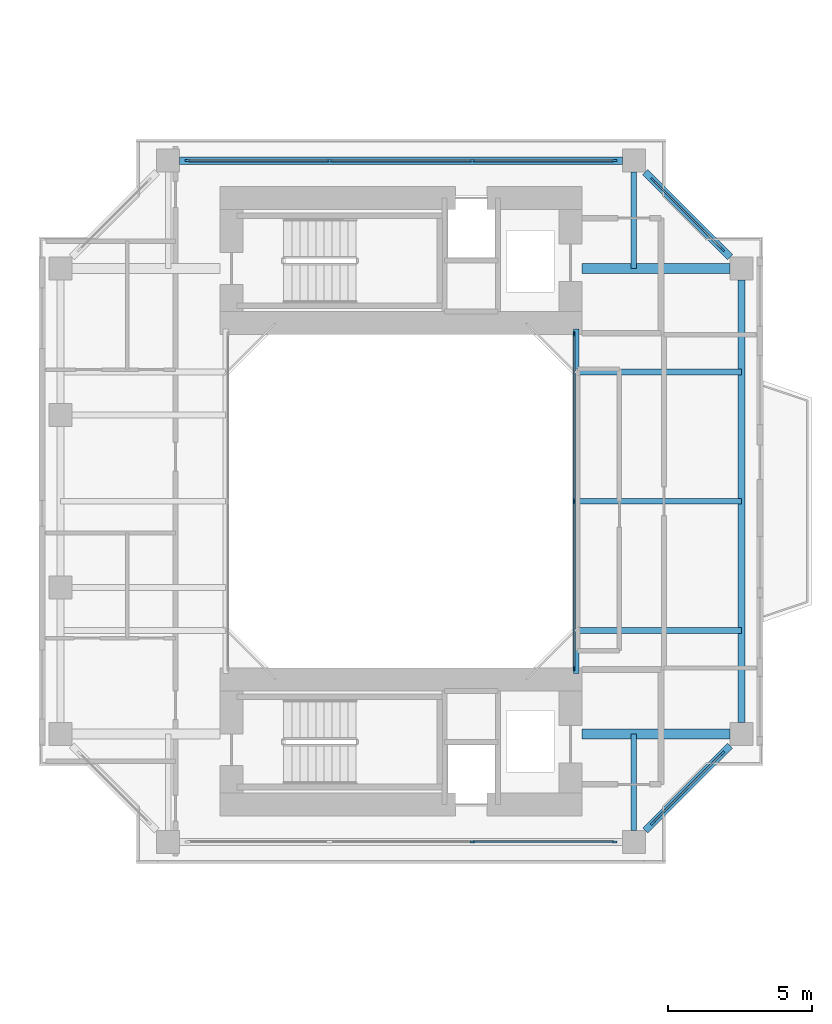
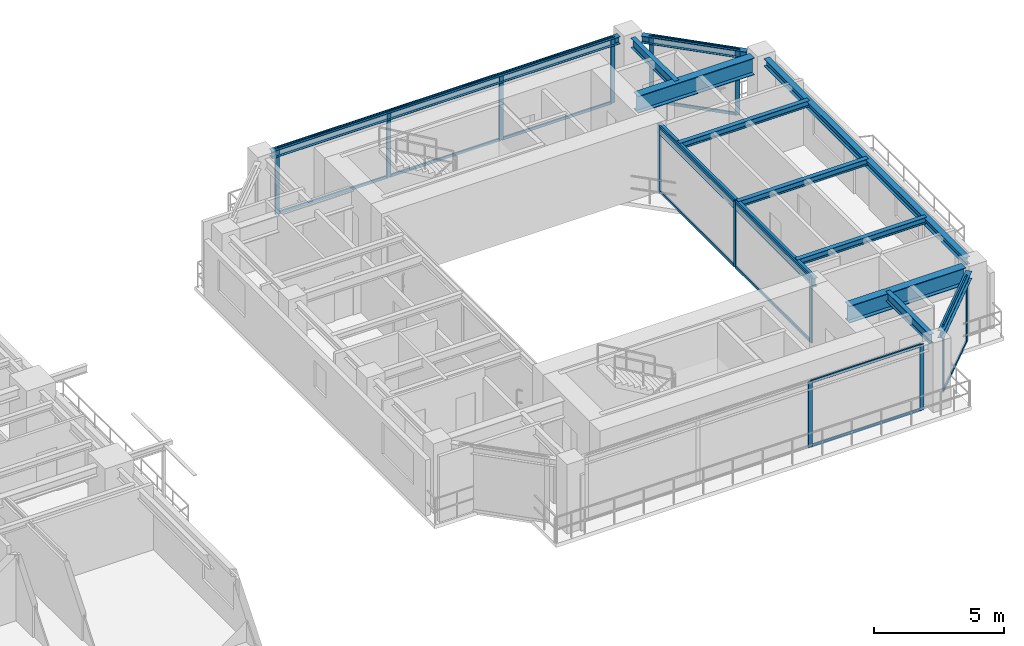
# One storey, part 10 of 23: 29 members, 12 beams, 5 elements without a shape of their own.
"""IFC4 building model written with IfcOpenShell, lengths in metres."""

from ifc_helpers import new_model, si_unit, direction, frame, origin, origin_2d, place, context, subcontext, project, spatial, rectangle, i_section, extrude, source, transform, mapped, material, layer, layer_set, material_profile, profile_set, type_object, element, aggregate, save


model = new_model("IFC4")

# Units and contexts
model_context = context("Model", 3, precision=1e-05, world=origin(), true_north=direction((0.0, 1.0)))
body_context = subcontext(model_context, "Body", "Model", "MODEL_VIEW")
ifc_project = project(units=[si_unit("LENGTHUNIT", "METRE"), si_unit("AREAUNIT", "SQUARE_METRE"), si_unit("VOLUMEUNIT", "CUBIC_METRE"), si_unit("PLANEANGLEUNIT", "RADIAN"), si_unit("MASSUNIT", "GRAM", prefix="KILO"), si_unit("THERMODYNAMICTEMPERATUREUNIT", "KELVIN"), si_unit("POWERUNIT", "WATT")], contexts=[model_context])

# Site, building, storey
site_placement = place(None, origin())
site = spatial("IfcSite", under=ifc_project, at=site_placement, CompositionType="ELEMENT")
building_placement = place(site_placement, origin())
building = spatial("IfcBuilding", under=site, at=building_placement, Name="Qiaomeng Ring Towers", CompositionType="ELEMENT")
storey_placement = place(building_placement, frame((0.0, 0.0, 82.75)))
storey = spatial("IfcBuildingStorey", under=building, at=storey_placement, Name="L23", CompositionType="ELEMENT", Elevation=82.75)

# Beams
ifc_material_1 = material(Name="Steel Q355B", Category="steel")
ifc_material_profile_1 = material_profile(ifc_material_1, i_section(OverallWidth=0.199951171875, OverallDepth=0.39990234375, WebThickness=0.008056640625, FlangeThickness=0.012939453125, FilletRadius=0.01611328125, at=origin_2d()), Name="HN 400x200x8x13")
ifc_profile_set_1 = profile_set([ifc_material_profile_1], Name="Steel Q355B")
beam_type_1 = type_object("IfcBeamType", Name="STR-BM-HN400", PredefinedType="SPANDREL", material=ifc_profile_set_1)
shared_shape_1 = source(origin(), body_context, "Body", "SweptSolid", [
    extrude(i_section(OverallWidth=0.199951171875, OverallDepth=0.39990234375, WebThickness=0.008056640625, FlangeThickness=0.012939453125, FilletRadius=0.01611328125, at=origin_2d()), origin(), (0.0, 0.0, 1.0), 12.0),
])
beam_placement = place(storey_placement, frame((66.60009765625, 17.0, 2.8701171875), z_axis=(0.0, 1.0, 0.0), x_axis=(-1.0, 0.0, 0.0)))
element("IfcBeam", 1, at=beam_placement, inside=storey, type_object=beam_type_1, Name="L23 beam STR-BM-L23-T2-WELL-E", PredefinedType="SPANDREL", context=body_context, shape_type="MappedRepresentation", body=[
    mapped(shared_shape_1, transform((0.0, 0.0, 0.0), x_axis=(1.0, 0.0, 0.0), y_axis=(0.0, 1.0, 0.0), z_axis=(0.0, 0.0, 1.0), scale=1.0)),
])
ifc_material_profile_2 = material_profile(ifc_material_1, i_section(OverallWidth=0.25, OverallDepth=0.340087890625, WebThickness=0.009033203125, FlangeThickness=0.013916015625, FilletRadius=0.02001953125, at=origin_2d()), Name="HM 340x250x9x14")
ifc_profile_set_2 = profile_set([ifc_material_profile_2], Name="Steel Q355B")
beam_type_2 = type_object("IfcBeamType", Name="STR-BM-HM340", PredefinedType="SPANDREL", material=ifc_profile_set_2)
shared_shape_2 = source(origin(), body_context, "Body", "SweptSolid", [
    extrude(i_section(OverallWidth=0.25, OverallDepth=0.340087890625, WebThickness=0.009033203125, FlangeThickness=0.013916015625, FilletRadius=0.02001953125, at=origin_2d()), origin(), (0.0, 0.0, 1.0), 15.40185546875),
])
for number, where, z_axis, x_axis, name in (
    (2, (72.35009765625, 15.299072265625, 2.89990234375), (0.0, 1.0, 0.0), (-1.0, 0.0, 0.0), "L23 beam STR-SP-L23-T2-E1-E2"),
    (3, (68.200927734375, 34.85009765625, 2.89990234375), (-1.0, 0.0, 0.0), (0.0, -1.0, 0.0), "L23 beam STR-SP-L23-T2-N2-N1"),
):
    element("IfcBeam", number, at=place(storey_placement, frame(where, z_axis=z_axis, x_axis=x_axis)), inside=storey, type_object=beam_type_2, Name=name, PredefinedType="SPANDREL", context=body_context, shape_type="MappedRepresentation", body=[
        mapped(shared_shape_2, transform((0.0, 0.0, 0.0), x_axis=(1.0, 0.0, 0.0), y_axis=(0.0, 1.0, 0.0), z_axis=(0.0, 0.0, 1.0), scale=1.0)),
    ])
shared_shape_3 = source(origin(), body_context, "Body", "SweptSolid", [
    extrude(i_section(OverallWidth=0.25, OverallDepth=0.340087890625, WebThickness=0.009033203125, FlangeThickness=0.013916015625, FilletRadius=0.02001953125, at=origin_2d()), origin(), (0.0, 0.0, 1.0), 4.173828125),
])
for number, where, z_axis, x_axis, name in (
    (4, (68.999267578125, 11.54931640625, 2.89990234375), (0.707106781187, 0.707106781187, 0.0), (-0.707106781187, 0.707106781187, 0.0), "L23 beam STR-SP-L23-T2-S2-E1"),
    (5, (71.95068359375, 31.499267578125, 2.89990234375), (-0.707106781187, 0.707106781187, 0.0), (-0.707106781187, -0.707106781187, 0.0), "L23 beam STR-SP-L23-T2-E2-N2"),
):
    element("IfcBeam", number, at=place(storey_placement, frame(where, z_axis=z_axis, x_axis=x_axis)), inside=storey, type_object=beam_type_2, Name=name, PredefinedType="SPANDREL", context=body_context, shape_type="MappedRepresentation", body=[
        mapped(shared_shape_3, transform((0.0, 0.0, 0.0), x_axis=(1.0, 0.0, 0.0), y_axis=(0.0, 1.0, 0.0), z_axis=(0.0, 0.0, 1.0), scale=1.0)),
    ])
ifc_material_2 = material(Name="Steel Q390GJC", Category="steel")
ifc_material_profile_3 = material_profile(ifc_material_2, i_section(OverallWidth=0.35009765625, OverallDepth=0.800048828125, WebThickness=0.01611328125, FlangeThickness=0.028076171875, at=origin_2d()), Name="WH 800x350x16x28")
ifc_profile_set_3 = profile_set([ifc_material_profile_3], Name="Steel Q390GJC")
beam_type_3 = type_object("IfcBeamType", Name="STR-BM-WH800", PredefinedType="BEAM", material=ifc_profile_set_3)
shared_shape_4 = source(origin(), body_context, "Body", "SweptSolid", [
    extrude(i_section(OverallWidth=0.35009765625, OverallDepth=0.800048828125, WebThickness=0.01611328125, FlangeThickness=0.028076171875, at=origin_2d()), origin(), (0.0, 0.0, 1.0), 5.15087890625),
])
for number, where, z_axis, x_axis, name in (
    (6, (66.800048828125, 14.89990234375, 2.669921875), (1.0, 0.0, 0.0), (0.0, 1.0, 0.0), "L23 beam STR-BM-L23-T2-RAD-E1"),
    (7, (66.800048828125, 31.10009765625, 2.669921875), (1.0, 0.0, 0.0), (0.0, 1.0, 0.0), "L23 beam STR-BM-L23-T2-RAD-E2"),
):
    element("IfcBeam", number, at=place(storey_placement, frame(where, z_axis=z_axis, x_axis=x_axis)), inside=storey, type_object=beam_type_3, Name=name, PredefinedType="BEAM", context=body_context, shape_type="MappedRepresentation", body=[
        mapped(shared_shape_4, transform((0.0, 0.0, 0.0), x_axis=(1.0, 0.0, 0.0), y_axis=(0.0, 1.0, 0.0), z_axis=(0.0, 0.0, 1.0), scale=1.0)),
    ])
ifc_material_profile_4 = material_profile(ifc_material_1, i_section(OverallWidth=0.199951171875, OverallDepth=0.449951171875, WebThickness=0.009033203125, FlangeThickness=0.013916015625, FilletRadius=0.01806640625, at=origin_2d()), Name="HN 450x200x9x14")
ifc_profile_set_4 = profile_set([ifc_material_profile_4], Name="Steel Q355B")
beam_type_4 = type_object("IfcBeamType", Name="STR-BM-HN450", PredefinedType="SPANDREL", material=ifc_profile_set_4)
shared_shape_5 = source(origin(), body_context, "Body", "SweptSolid", [
    extrude(i_section(OverallWidth=0.199951171875, OverallDepth=0.449951171875, WebThickness=0.009033203125, FlangeThickness=0.013916015625, FilletRadius=0.01806640625, at=origin_2d()), origin(), (0.0, 0.0, 1.0), 3.350830078125),
])
for number, where, z_axis, x_axis, name in (
    (8, (68.60009765625, 34.450927734375, 2.844970703125), (0.0, -1.0, 0.0), (1.0, 0.0, 0.0), "L23 beam STR-BM-L23-T2-RAD-N2"),
    (9, (68.60009765625, 11.549072265625, 2.844970703125), (0.0, 1.0, 0.0), (-1.0, 0.0, 0.0), "L23 beam STR-BM-L23-T2-RAD-S2"),
):
    element("IfcBeam", number, at=place(storey_placement, frame(where, z_axis=z_axis, x_axis=x_axis)), inside=storey, type_object=beam_type_4, Name=name, PredefinedType="SPANDREL", context=body_context, shape_type="MappedRepresentation", body=[
        mapped(shared_shape_5, transform((0.0, 0.0, 0.0), x_axis=(1.0, 0.0, 0.0), y_axis=(0.0, 1.0, 0.0), z_axis=(0.0, 0.0, 1.0), scale=1.0)),
    ])
ifc_material_profile_5 = material_profile(ifc_material_1, i_section(OverallWidth=0.199951171875, OverallDepth=0.2939453125, WebThickness=0.008056640625, FlangeThickness=0.011962890625, FilletRadius=0.01806640625, at=origin_2d()), Name="HM 294x200x8x12")
ifc_profile_set_5 = profile_set([ifc_material_profile_5], Name="Steel Q355B")
beam_type_5 = type_object("IfcBeamType", Name="STR-BM-HM294", PredefinedType="JOIST", material=ifc_profile_set_5)
shared_shape_6 = source(origin(), body_context, "Body", "SweptSolid", [
    extrude(i_section(OverallWidth=0.199951171875, OverallDepth=0.2939453125, WebThickness=0.008056640625, FlangeThickness=0.011962890625, FilletRadius=0.01806640625, at=origin_2d()), origin(), (0.0, 0.0, 1.0), 5.75),
])
for number, where, z_axis, x_axis, name in (
    (10, (66.60009765625, 18.5, 2.923095703125), (1.0, 0.0, 0.0), (0.0, 1.0, 0.0), "L23 beam STR-JST-L23-T2E-1"),
    (11, (66.60009765625, 23.0, 2.923095703125), (1.0, 0.0, 0.0), (0.0, 1.0, 0.0), "L23 beam STR-JST-L23-T2E-2"),
    (12, (66.60009765625, 27.5, 2.923095703125), (1.0, 0.0, 0.0), (0.0, 1.0, 0.0), "L23 beam STR-JST-L23-T2E-3"),
):
    element("IfcBeam", number, at=place(storey_placement, frame(where, z_axis=z_axis, x_axis=x_axis)), inside=storey, type_object=beam_type_5, Name=name, PredefinedType="JOIST", context=body_context, shape_type="MappedRepresentation", body=[
        mapped(shared_shape_6, transform((0.0, 0.0, 0.0), x_axis=(1.0, 0.0, 0.0), y_axis=(0.0, 1.0, 0.0), z_axis=(0.0, 0.0, 1.0), scale=1.0)),
    ])

# Curtain wall, members
ifc_material_3 = material(Name="Fluorocarbon dark-grey aluminium", Category="aluminium")
ifc_layer_1 = layer(ifc_material_3, 0.139892578125, Name="Fluorocarbon dark-grey aluminium")
ifc_layer_set_1 = layer_set([ifc_layer_1], Name="Fluorocarbon dark-grey aluminium")
curtain_wall_type_1 = type_object("IfcCurtainWallType", Name="ARC-CW-4", PredefinedType="NOTDEFINED", material=ifc_layer_set_1)
curtain_wall_1_placement = place(storey_placement, origin())
curtain_wall_1 = element("IfcCurtainWall", 13, at=curtain_wall_1_placement, inside=storey, type_object=curtain_wall_type_1, Name="L23 Curtain Wall CW4", PredefinedType="NOTDEFINED")
ifc_material_profile_6 = material_profile(ifc_material_3, rectangle(XDim=0.06494140625, YDim=0.159912109375, at=origin_2d()), Name="ALU MULL 65x160")
ifc_profile_set_6 = profile_set([ifc_material_profile_6], Name="Fluorocarbon dark-grey aluminium")
member_type_1 = type_object("IfcMemberType", Name="ARC-CWM-140", PredefinedType="MULLION", material=ifc_profile_set_6)
shared_shape_7 = source(origin(), body_context, "Body", "SweptSolid", [
    extrude(rectangle(XDim=0.06494140625, YDim=0.159912109375, at=origin_2d()), origin(), (0.0, 0.0, 1.0), 3.070068359375),
])
member_1_placement = place(storey_placement, frame((66.52001953125, 17.1826171875, 0.0), z_axis=(0.0, 0.0, 1.0), x_axis=(-1.0, 0.0, 0.0)))
member_1 = element("IfcMember", 14, at=member_1_placement, type_object=member_type_1, Name="CW4 mullion 1", PredefinedType="MULLION", context=body_context, shape_type="MappedRepresentation", body=[
    mapped(shared_shape_7, transform((0.0, 0.0, 0.0), x_axis=(1.0, 0.0, 0.0), y_axis=(0.0, 1.0, 0.0), z_axis=(0.0, 0.0, 1.0), scale=1.0)),
])
member_2_placement = place(storey_placement, frame((66.52001953125, 23.0, 0.0), z_axis=(0.0, 0.0, 1.0), x_axis=(-1.0, 0.0, 0.0)))
member_2 = element("IfcMember", 15, at=member_2_placement, type_object=member_type_1, Name="CW4 mullion 2", PredefinedType="MULLION", context=body_context, shape_type="MappedRepresentation", body=[
    mapped(shared_shape_7, transform((0.0, 0.0, 0.0), x_axis=(1.0, 0.0, 0.0), y_axis=(0.0, 1.0, 0.0), z_axis=(0.0, 0.0, 1.0), scale=1.0)),
])
member_3_placement = place(storey_placement, frame((66.52001953125, 28.8173828125, 0.0), z_axis=(0.0, 0.0, 1.0), x_axis=(-1.0, 0.0, 0.0)))
member_3 = element("IfcMember", 16, at=member_3_placement, type_object=member_type_1, Name="CW4 mullion 3", PredefinedType="MULLION", context=body_context, shape_type="MappedRepresentation", body=[
    mapped(shared_shape_7, transform((0.0, 0.0, 0.0), x_axis=(1.0, 0.0, 0.0), y_axis=(0.0, 1.0, 0.0), z_axis=(0.0, 0.0, 1.0), scale=1.0)),
])
ifc_material_profile_7 = material_profile(ifc_material_3, rectangle(XDim=0.06494140625, YDim=0.1298828125, at=origin_2d()), Name="ALU TRAN 65x130")
ifc_profile_set_7 = profile_set([ifc_material_profile_7], Name="Fluorocarbon dark-grey aluminium")
member_type_2 = type_object("IfcMemberType", Name="ARC-CWT-120", PredefinedType="USERDEFINED", material=ifc_profile_set_7)
shared_shape_8 = source(origin(), body_context, "Body", "SweptSolid", [
    extrude(rectangle(XDim=0.06494140625, YDim=0.1298828125, at=origin_2d()), origin(), (0.0, 0.0, 1.0), 5.75244140625),
])
member_4_placement = place(storey_placement, frame((66.52001953125, 17.215087890625, 0.032470703125), z_axis=(0.0, 1.0, 0.0), x_axis=(-1.0, 0.0, 0.0)))
member_4 = element("IfcMember", 17, at=member_4_placement, type_object=member_type_2, Name="CW4 transom 1.1", ObjectType="TRANSOM", PredefinedType="USERDEFINED", context=body_context, shape_type="MappedRepresentation", body=[
    mapped(shared_shape_8, transform((0.0, 0.0, 0.0), x_axis=(1.0, 0.0, 0.0), y_axis=(0.0, 1.0, 0.0), z_axis=(0.0, 0.0, 1.0), scale=1.0)),
])
member_5_placement = place(storey_placement, frame((66.52001953125, 17.215087890625, 3.03759765625), z_axis=(0.0, 1.0, 0.0), x_axis=(-1.0, 0.0, 0.0)))
member_5 = element("IfcMember", 18, at=member_5_placement, type_object=member_type_2, Name="CW4 transom 1.2", ObjectType="TRANSOM", PredefinedType="USERDEFINED", context=body_context, shape_type="MappedRepresentation", body=[
    mapped(shared_shape_8, transform((0.0, 0.0, 0.0), x_axis=(1.0, 0.0, 0.0), y_axis=(0.0, 1.0, 0.0), z_axis=(0.0, 0.0, 1.0), scale=1.0)),
])
member_6_placement = place(storey_placement, frame((66.52001953125, 23.032470703125, 0.032470703125), z_axis=(0.0, 1.0, 0.0), x_axis=(-1.0, 0.0, 0.0)))
member_6 = element("IfcMember", 19, at=member_6_placement, type_object=member_type_2, Name="CW4 transom 2.1", ObjectType="TRANSOM", PredefinedType="USERDEFINED", context=body_context, shape_type="MappedRepresentation", body=[
    mapped(shared_shape_8, transform((0.0, 0.0, 0.0), x_axis=(1.0, 0.0, 0.0), y_axis=(0.0, 1.0, 0.0), z_axis=(0.0, 0.0, 1.0), scale=1.0)),
])
member_7_placement = place(storey_placement, frame((66.52001953125, 23.032470703125, 3.03759765625), z_axis=(0.0, 1.0, 0.0), x_axis=(-1.0, 0.0, 0.0)))
member_7 = element("IfcMember", 20, at=member_7_placement, type_object=member_type_2, Name="CW4 transom 2.2", ObjectType="TRANSOM", PredefinedType="USERDEFINED", context=body_context, shape_type="MappedRepresentation", body=[
    mapped(shared_shape_8, transform((0.0, 0.0, 0.0), x_axis=(1.0, 0.0, 0.0), y_axis=(0.0, 1.0, 0.0), z_axis=(0.0, 0.0, 1.0), scale=1.0)),
])
aggregate(curtain_wall_1, [member_1, member_2, member_3, member_4, member_5, member_6, member_7])

ifc_layer_2 = layer(ifc_material_3, 0.14990234375, Name="Fluorocarbon dark-grey aluminium")
ifc_layer_set_2 = layer_set([ifc_layer_2], Name="Fluorocarbon dark-grey aluminium")
curtain_wall_type_2 = type_object("IfcCurtainWallType", Name="ARC-CW-5", PredefinedType="NOTDEFINED", material=ifc_layer_set_2)
curtain_wall_2_placement = place(storey_placement, origin())
curtain_wall_2 = element("IfcCurtainWall", 21, at=curtain_wall_2_placement, inside=storey, type_object=curtain_wall_type_2, Name="L23 Curtain Wall CW5", PredefinedType="NOTDEFINED")
ifc_material_profile_8 = material_profile(ifc_material_3, rectangle(XDim=0.070068359375, YDim=0.179931640625, at=origin_2d()), Name="ALU MULL 70x180")
ifc_profile_set_8 = profile_set([ifc_material_profile_8], Name="Fluorocarbon dark-grey aluminium")
member_type_3 = type_object("IfcMemberType", Name="ARC-CWM-160", PredefinedType="MULLION", material=ifc_profile_set_8)
shared_shape_9 = source(origin(), body_context, "Body", "SweptSolid", [
    extrude(rectangle(XDim=0.070068359375, YDim=0.179931640625, at=origin_2d()), origin(), (0.0, 0.0, 1.0), 3.070068359375),
])
member_8_placement = place(storey_placement, frame((53.074951171875, 34.85009765625, 0.0), z_axis=(0.0, 0.0, 1.0), x_axis=(0.0, 1.0, 0.0)))
member_8 = element("IfcMember", 22, at=member_8_placement, type_object=member_type_3, Name="CW5 mullion 1", PredefinedType="MULLION", context=body_context, shape_type="MappedRepresentation", body=[
    mapped(shared_shape_9, transform((0.0, 0.0, 0.0), x_axis=(1.0, 0.0, 0.0), y_axis=(0.0, 1.0, 0.0), z_axis=(0.0, 0.0, 1.0), scale=1.0)),
])
member_9_placement = place(storey_placement, frame((58.013427734375, 34.85009765625, 0.0), z_axis=(0.0, 0.0, 1.0), x_axis=(0.0, 1.0, 0.0)))
member_9 = element("IfcMember", 23, at=member_9_placement, type_object=member_type_3, Name="CW5 mullion 2", PredefinedType="MULLION", context=body_context, shape_type="MappedRepresentation", body=[
    mapped(shared_shape_9, transform((0.0, 0.0, 0.0), x_axis=(1.0, 0.0, 0.0), y_axis=(0.0, 1.0, 0.0), z_axis=(0.0, 0.0, 1.0), scale=1.0)),
])
member_10_placement = place(storey_placement, frame((62.986572265625, 34.85009765625, 0.0), z_axis=(0.0, 0.0, 1.0), x_axis=(0.0, 1.0, 0.0)))
member_10 = element("IfcMember", 24, at=member_10_placement, type_object=member_type_3, Name="CW5 mullion 3", PredefinedType="MULLION", context=body_context, shape_type="MappedRepresentation", body=[
    mapped(shared_shape_9, transform((0.0, 0.0, 0.0), x_axis=(1.0, 0.0, 0.0), y_axis=(0.0, 1.0, 0.0), z_axis=(0.0, 0.0, 1.0), scale=1.0)),
])
member_11_placement = place(storey_placement, frame((67.925048828125, 34.85009765625, 0.0), z_axis=(0.0, 0.0, 1.0), x_axis=(0.0, 1.0, 0.0)))
member_11 = element("IfcMember", 25, at=member_11_placement, type_object=member_type_3, Name="CW5 mullion 4", PredefinedType="MULLION", context=body_context, shape_type="MappedRepresentation", body=[
    mapped(shared_shape_9, transform((0.0, 0.0, 0.0), x_axis=(1.0, 0.0, 0.0), y_axis=(0.0, 1.0, 0.0), z_axis=(0.0, 0.0, 1.0), scale=1.0)),
])

curtain_wall_3_placement = place(storey_placement, origin())
curtain_wall_3 = element("IfcCurtainWall", 26, at=curtain_wall_3_placement, inside=storey, type_object=curtain_wall_type_2, Name="L23 Curtain Wall CW5", PredefinedType="NOTDEFINED")
member_12_placement = place(storey_placement, frame((69.2646484375, 11.814697265625, 0.0), z_axis=(0.0, 0.0, 1.0), x_axis=(-0.707106781187, 0.707106781187, 0.0)))
member_12 = element("IfcMember", 27, at=member_12_placement, type_object=member_type_3, Name="CW5 mullion 1", PredefinedType="MULLION", context=body_context, shape_type="MappedRepresentation", body=[
    mapped(shared_shape_9, transform((0.0, 0.0, 0.0), x_axis=(1.0, 0.0, 0.0), y_axis=(0.0, 1.0, 0.0), z_axis=(0.0, 0.0, 1.0), scale=1.0)),
])
member_13_placement = place(storey_placement, frame((71.685302734375, 14.2353515625, 0.0), z_axis=(0.0, 0.0, 1.0), x_axis=(-0.707106781187, 0.707106781187, 0.0)))
member_13 = element("IfcMember", 28, at=member_13_placement, type_object=member_type_3, Name="CW5 mullion 2", PredefinedType="MULLION", context=body_context, shape_type="MappedRepresentation", body=[
    mapped(shared_shape_9, transform((0.0, 0.0, 0.0), x_axis=(1.0, 0.0, 0.0), y_axis=(0.0, 1.0, 0.0), z_axis=(0.0, 0.0, 1.0), scale=1.0)),
])

curtain_wall_4_placement = place(storey_placement, origin())
curtain_wall_4 = element("IfcCurtainWall", 29, at=curtain_wall_4_placement, inside=storey, type_object=curtain_wall_type_2, Name="L23 Curtain Wall CW5", PredefinedType="NOTDEFINED")
member_14_placement = place(storey_placement, frame((71.685302734375, 31.7646484375, 0.0), z_axis=(0.0, 0.0, 1.0), x_axis=(-0.707106781187, -0.707106781187, 0.0)))
member_14 = element("IfcMember", 30, at=member_14_placement, type_object=member_type_3, Name="CW5 mullion 1", PredefinedType="MULLION", context=body_context, shape_type="MappedRepresentation", body=[
    mapped(shared_shape_9, transform((0.0, 0.0, 0.0), x_axis=(1.0, 0.0, 0.0), y_axis=(0.0, 1.0, 0.0), z_axis=(0.0, 0.0, 1.0), scale=1.0)),
])
member_15_placement = place(storey_placement, frame((69.2646484375, 34.185302734375, 0.0), z_axis=(0.0, 0.0, 1.0), x_axis=(-0.707106781187, -0.707106781187, 0.0)))
member_15 = element("IfcMember", 31, at=member_15_placement, type_object=member_type_3, Name="CW5 mullion 2", PredefinedType="MULLION", context=body_context, shape_type="MappedRepresentation", body=[
    mapped(shared_shape_9, transform((0.0, 0.0, 0.0), x_axis=(1.0, 0.0, 0.0), y_axis=(0.0, 1.0, 0.0), z_axis=(0.0, 0.0, 1.0), scale=1.0)),
])

curtain_wall_5_placement = place(storey_placement, origin())
curtain_wall_5 = element("IfcCurtainWall", 32, at=curtain_wall_5_placement, inside=storey, type_object=curtain_wall_type_2, Name="L23 Curtain Wall CW5", PredefinedType="NOTDEFINED")
member_16_placement = place(storey_placement, frame((62.986572265625, 11.14990234375, 0.0), z_axis=(0.0, 0.0, 1.0), x_axis=(0.0, 1.0, 0.0)))
member_16 = element("IfcMember", 33, at=member_16_placement, type_object=member_type_3, Name="CW5 mullion 3", PredefinedType="MULLION", context=body_context, shape_type="MappedRepresentation", body=[
    mapped(shared_shape_9, transform((0.0, 0.0, 0.0), x_axis=(1.0, 0.0, 0.0), y_axis=(0.0, 1.0, 0.0), z_axis=(0.0, 0.0, 1.0), scale=1.0)),
])
member_17_placement = place(storey_placement, frame((67.925048828125, 11.14990234375, 0.0), z_axis=(0.0, 0.0, 1.0), x_axis=(0.0, 1.0, 0.0)))
member_17 = element("IfcMember", 34, at=member_17_placement, type_object=member_type_3, Name="CW5 mullion 4", PredefinedType="MULLION", context=body_context, shape_type="MappedRepresentation", body=[
    mapped(shared_shape_9, transform((0.0, 0.0, 0.0), x_axis=(1.0, 0.0, 0.0), y_axis=(0.0, 1.0, 0.0), z_axis=(0.0, 0.0, 1.0), scale=1.0)),
])

# Member
shared_shape_10 = source(origin(), body_context, "Body", "SweptSolid", [
    extrude(rectangle(XDim=0.06494140625, YDim=0.1298828125, at=origin_2d()), origin(), (0.0, 0.0, 1.0), 4.8681640625),
])
member_18_placement = place(storey_placement, frame((53.110107421875, 34.85009765625, 0.032470703125), z_axis=(1.0, 0.0, 0.0), x_axis=(0.0, 1.0, 0.0)))
member_18 = element("IfcMember", 35, at=member_18_placement, type_object=member_type_2, Name="CW5 transom 1.1", ObjectType="TRANSOM", PredefinedType="USERDEFINED", context=body_context, shape_type="MappedRepresentation", body=[
    mapped(shared_shape_10, transform((0.0, 0.0, 0.0), x_axis=(1.0, 0.0, 0.0), y_axis=(0.0, 1.0, 0.0), z_axis=(0.0, 0.0, 1.0), scale=1.0)),
])

member_19_placement = place(storey_placement, frame((53.110107421875, 34.85009765625, 3.03759765625), z_axis=(1.0, 0.0, 0.0), x_axis=(0.0, 1.0, 0.0)))
member_19 = element("IfcMember", 36, at=member_19_placement, type_object=member_type_2, Name="CW5 transom 1.2", ObjectType="TRANSOM", PredefinedType="USERDEFINED", context=body_context, shape_type="MappedRepresentation", body=[
    mapped(shared_shape_10, transform((0.0, 0.0, 0.0), x_axis=(1.0, 0.0, 0.0), y_axis=(0.0, 1.0, 0.0), z_axis=(0.0, 0.0, 1.0), scale=1.0)),
])

member_20_placement = place(storey_placement, frame((63.021728515625, 34.85009765625, 0.032470703125), z_axis=(1.0, 0.0, 0.0), x_axis=(0.0, 1.0, 0.0)))
member_20 = element("IfcMember", 37, at=member_20_placement, type_object=member_type_2, Name="CW5 transom 3.1", ObjectType="TRANSOM", PredefinedType="USERDEFINED", context=body_context, shape_type="MappedRepresentation", body=[
    mapped(shared_shape_10, transform((0.0, 0.0, 0.0), x_axis=(1.0, 0.0, 0.0), y_axis=(0.0, 1.0, 0.0), z_axis=(0.0, 0.0, 1.0), scale=1.0)),
])

member_21_placement = place(storey_placement, frame((63.021728515625, 34.85009765625, 3.03759765625), z_axis=(1.0, 0.0, 0.0), x_axis=(0.0, 1.0, 0.0)))
member_21 = element("IfcMember", 38, at=member_21_placement, type_object=member_type_2, Name="CW5 transom 3.2", ObjectType="TRANSOM", PredefinedType="USERDEFINED", context=body_context, shape_type="MappedRepresentation", body=[
    mapped(shared_shape_10, transform((0.0, 0.0, 0.0), x_axis=(1.0, 0.0, 0.0), y_axis=(0.0, 1.0, 0.0), z_axis=(0.0, 0.0, 1.0), scale=1.0)),
])

member_22_placement = place(storey_placement, frame((63.021728515625, 11.14990234375, 0.032470703125), z_axis=(1.0, 0.0, 0.0), x_axis=(0.0, 1.0, 0.0)))
member_22 = element("IfcMember", 39, at=member_22_placement, type_object=member_type_2, Name="CW5 transom 3.1", ObjectType="TRANSOM", PredefinedType="USERDEFINED", context=body_context, shape_type="MappedRepresentation", body=[
    mapped(shared_shape_10, transform((0.0, 0.0, 0.0), x_axis=(1.0, 0.0, 0.0), y_axis=(0.0, 1.0, 0.0), z_axis=(0.0, 0.0, 1.0), scale=1.0)),
])

member_23_placement = place(storey_placement, frame((63.021728515625, 11.14990234375, 3.03759765625), z_axis=(1.0, 0.0, 0.0), x_axis=(0.0, 1.0, 0.0)))
member_23 = element("IfcMember", 40, at=member_23_placement, type_object=member_type_2, Name="CW5 transom 3.2", ObjectType="TRANSOM", PredefinedType="USERDEFINED", context=body_context, shape_type="MappedRepresentation", body=[
    mapped(shared_shape_10, transform((0.0, 0.0, 0.0), x_axis=(1.0, 0.0, 0.0), y_axis=(0.0, 1.0, 0.0), z_axis=(0.0, 0.0, 1.0), scale=1.0)),
])

aggregate(curtain_wall_5, [member_16, member_17, member_22, member_23])

shared_shape_11 = source(origin(), body_context, "Body", "SweptSolid", [
    extrude(rectangle(XDim=0.06494140625, YDim=0.1298828125, at=origin_2d()), origin(), (0.0, 0.0, 1.0), 4.9033203125),
])
member_24_placement = place(storey_placement, frame((58.04833984375, 34.85009765625, 0.032470703125), z_axis=(1.0, 0.0, 0.0), x_axis=(0.0, 1.0, 0.0)))
member_24 = element("IfcMember", 41, at=member_24_placement, type_object=member_type_2, Name="CW5 transom 2.1", ObjectType="TRANSOM", PredefinedType="USERDEFINED", context=body_context, shape_type="MappedRepresentation", body=[
    mapped(shared_shape_11, transform((0.0, 0.0, 0.0), x_axis=(1.0, 0.0, 0.0), y_axis=(0.0, 1.0, 0.0), z_axis=(0.0, 0.0, 1.0), scale=1.0)),
])

member_25_placement = place(storey_placement, frame((58.04833984375, 34.85009765625, 3.03759765625), z_axis=(1.0, 0.0, 0.0), x_axis=(0.0, 1.0, 0.0)))
member_25 = element("IfcMember", 42, at=member_25_placement, type_object=member_type_2, Name="CW5 transom 2.2", ObjectType="TRANSOM", PredefinedType="USERDEFINED", context=body_context, shape_type="MappedRepresentation", body=[
    mapped(shared_shape_11, transform((0.0, 0.0, 0.0), x_axis=(1.0, 0.0, 0.0), y_axis=(0.0, 1.0, 0.0), z_axis=(0.0, 0.0, 1.0), scale=1.0)),
])

aggregate(curtain_wall_2, [member_8, member_9, member_10, member_11, member_18, member_19, member_24, member_25, member_20, member_21])

shared_shape_12 = source(origin(), body_context, "Body", "SweptSolid", [
    extrude(rectangle(XDim=0.06494140625, YDim=0.1298828125, at=origin_2d()), origin(), (0.0, 0.0, 1.0), 3.352783203125),
])
member_26_placement = place(storey_placement, frame((69.28955078125, 11.839599609375, 0.032470703125), z_axis=(0.707106781187, 0.707106781187, 0.0), x_axis=(-0.707106781187, 0.707106781187, 0.0)))
member_26 = element("IfcMember", 43, at=member_26_placement, type_object=member_type_2, Name="CW5 transom 1.1", ObjectType="TRANSOM", PredefinedType="USERDEFINED", context=body_context, shape_type="MappedRepresentation", body=[
    mapped(shared_shape_12, transform((0.0, 0.0, 0.0), x_axis=(1.0, 0.0, 0.0), y_axis=(0.0, 1.0, 0.0), z_axis=(0.0, 0.0, 1.0), scale=1.0)),
])

member_27_placement = place(storey_placement, frame((69.28955078125, 11.839599609375, 3.03759765625), z_axis=(0.707106781187, 0.707106781187, 0.0), x_axis=(-0.707106781187, 0.707106781187, 0.0)))
member_27 = element("IfcMember", 44, at=member_27_placement, type_object=member_type_2, Name="CW5 transom 1.2", ObjectType="TRANSOM", PredefinedType="USERDEFINED", context=body_context, shape_type="MappedRepresentation", body=[
    mapped(shared_shape_12, transform((0.0, 0.0, 0.0), x_axis=(1.0, 0.0, 0.0), y_axis=(0.0, 1.0, 0.0), z_axis=(0.0, 0.0, 1.0), scale=1.0)),
])

aggregate(curtain_wall_3, [member_12, member_13, member_26, member_27])

member_28_placement = place(storey_placement, frame((71.660400390625, 31.78955078125, 0.032470703125), z_axis=(-0.707106781187, 0.707106781187, 0.0), x_axis=(-0.707106781187, -0.707106781187, 0.0)))
member_28 = element("IfcMember", 45, at=member_28_placement, type_object=member_type_2, Name="CW5 transom 1.1", ObjectType="TRANSOM", PredefinedType="USERDEFINED", context=body_context, shape_type="MappedRepresentation", body=[
    mapped(shared_shape_12, transform((0.0, 0.0, 0.0), x_axis=(1.0, 0.0, 0.0), y_axis=(0.0, 1.0, 0.0), z_axis=(0.0, 0.0, 1.0), scale=1.0)),
])

member_29_placement = place(storey_placement, frame((71.660400390625, 31.78955078125, 3.03759765625), z_axis=(-0.707106781187, 0.707106781187, 0.0), x_axis=(-0.707106781187, -0.707106781187, 0.0)))
member_29 = element("IfcMember", 46, at=member_29_placement, type_object=member_type_2, Name="CW5 transom 1.2", ObjectType="TRANSOM", PredefinedType="USERDEFINED", context=body_context, shape_type="MappedRepresentation", body=[
    mapped(shared_shape_12, transform((0.0, 0.0, 0.0), x_axis=(1.0, 0.0, 0.0), y_axis=(0.0, 1.0, 0.0), z_axis=(0.0, 0.0, 1.0), scale=1.0)),
])

aggregate(curtain_wall_4, [member_14, member_15, member_28, member_29])

save(model, "model.ifc")
